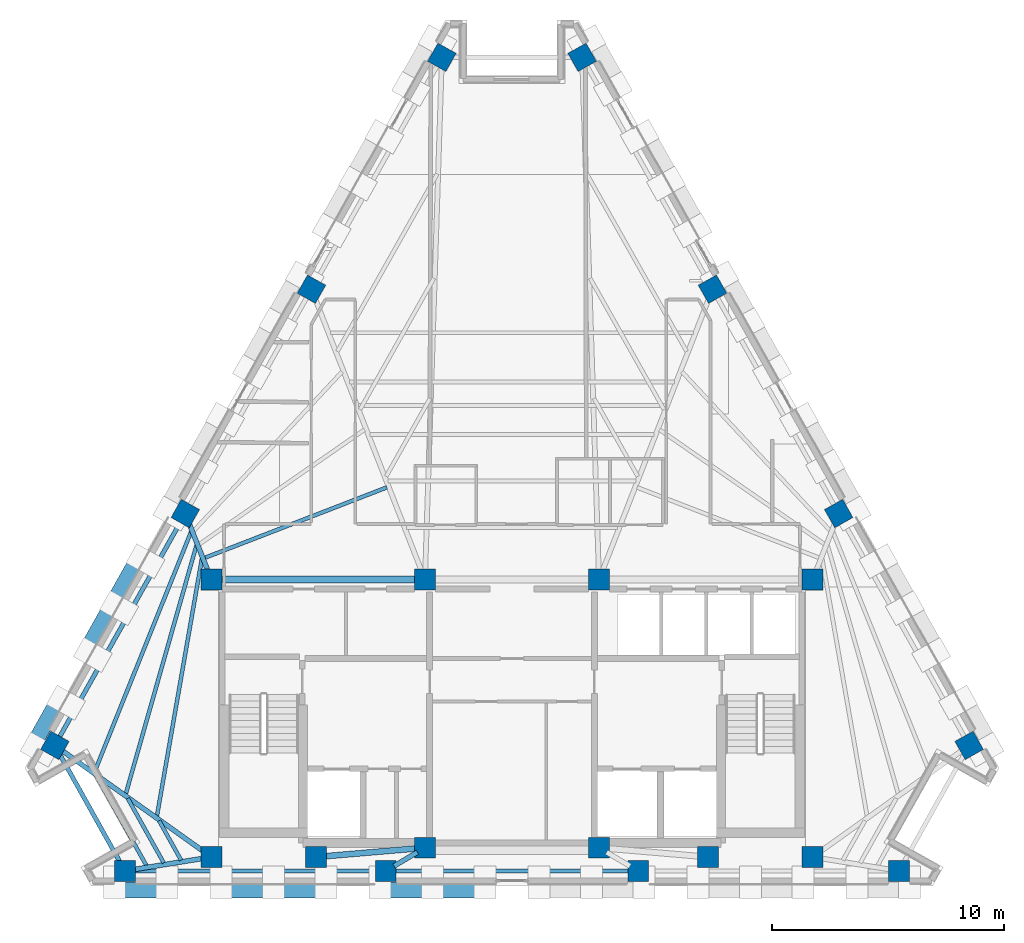
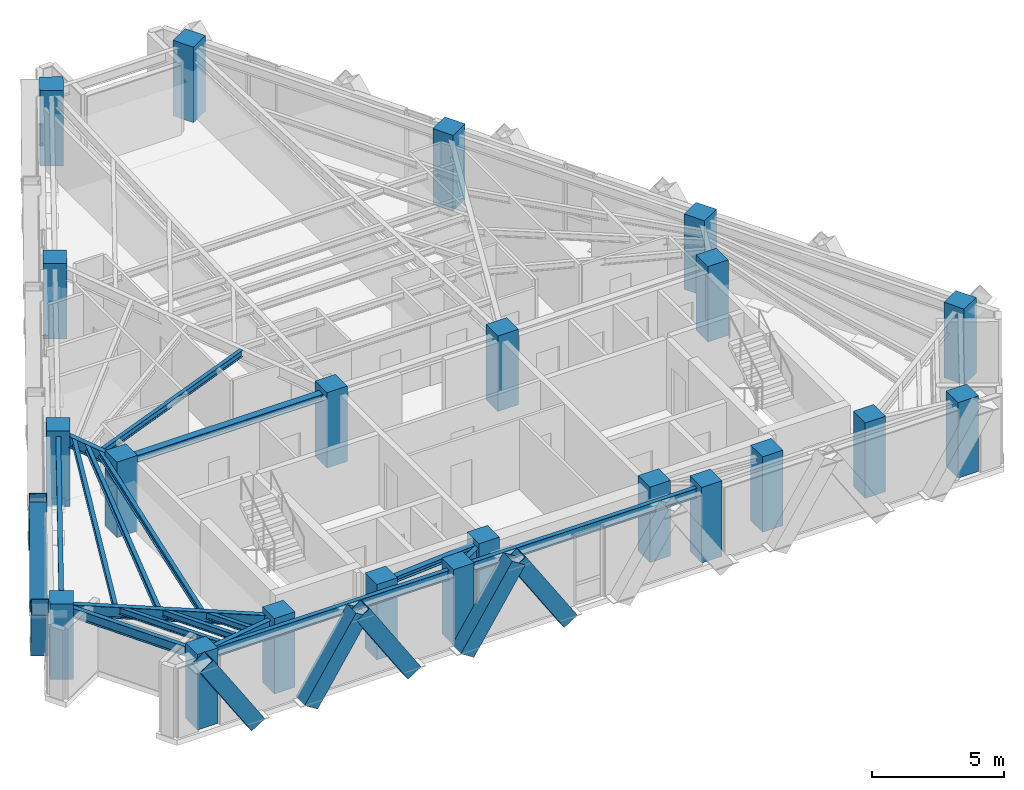
# One storey, part 1 of 12: 22 columns, 17 beams, 8 members.
"""IFC4 building model written with IfcOpenShell, lengths in metres."""

from ifc_helpers import new_model, si_unit, direction, frame, origin, origin_2d, place, context, subcontext, project, spatial, rectangle, hollow_rectangle, i_section, extrude, material, material_profile, profile_set, type_object, element, save


model = new_model("IFC4")

# Units and contexts
model_context = context("Model", 3, precision=1e-05, world=origin(), true_north=direction((0.0, 1.0)))
body_context = subcontext(model_context, "Body", "Model", "MODEL_VIEW")
ifc_project = project(units=[si_unit("LENGTHUNIT", "METRE"), si_unit("AREAUNIT", "SQUARE_METRE"), si_unit("VOLUMEUNIT", "CUBIC_METRE"), si_unit("PLANEANGLEUNIT", "RADIAN"), si_unit("MASSUNIT", "GRAM", prefix="KILO")], contexts=[model_context])

# Site, building, storey
site_placement = place(None, origin())
site = spatial("IfcSite", under=ifc_project, at=site_placement, CompositionType="ELEMENT")
building_placement = place(site_placement, origin())
building = spatial("IfcBuilding", under=site, at=building_placement, Name="Quenlor Broadcast Tower", CompositionType="ELEMENT")
storey_placement = place(building_placement, frame((0.0, 0.0, 197.39990234375)))
storey = spatial("IfcBuildingStorey", under=building, at=storey_placement, Name="L54", CompositionType="ELEMENT", Elevation=197.39990234375)

# Columns
ifc_material_1 = material(Name="Concrete C50/60", Category="concrete")
ifc_material_profile_1 = material_profile(ifc_material_1, rectangle(XDim=0.89990234375, YDim=0.89990234375, at=origin_2d()))
ifc_profile_set_1 = profile_set([ifc_material_profile_1], Name="Concrete C50/60 RC900x900")
column_type_1 = type_object("IfcColumnType", Name="Core Corner Column Upper Concrete C50/60 900", PredefinedType="COLUMN", material=ifc_profile_set_1)
for number, where, z_axis, x_axis, name in (
    (1, (-12.949951171875, -16.75, 0.0), (0.0, 0.0, 1.0), (1.0, 0.0, 0.0), "L54 Core Column CC1"),
    (2, (-8.449951171875, -16.75, 0.0), (0.0, 0.0, 1.0), (1.0, 0.0, 0.0), "L54 Core Column CC2"),
    (3, (-3.75, -16.35009765625, 0.0), (0.0, 0.0, 1.0), (1.0, 0.0, 0.0), "L54 Core Column CC3"),
    (4, (3.75, -16.35009765625, 0.0), (0.0, 0.0, 1.0), (1.0, 0.0, 0.0), "L54 Core Column CC4"),
    (5, (8.449951171875, -16.75, 0.0), (0.0, 0.0, 1.0), (1.0, 0.0, 0.0), "L54 Core Column CC5"),
    (6, (12.949951171875, -16.75, 0.0), (0.0, 0.0, 1.0), (1.0, 0.0, 0.0), "L54 Core Column CC6"),
    (7, (-12.949951171875, -4.800048828125, 0.0), (0.0, 0.0, 1.0), (1.0, 0.0, 0.0), "L54 Core Column CC7"),
    (8, (-3.75, -4.800048828125, 0.0), (0.0, 0.0, 1.0), (1.0, 0.0, 0.0), "L54 Core Column CC8"),
    (9, (3.75, -4.800048828125, 0.0), (0.0, 0.0, 1.0), (1.0, 0.0, 0.0), "L54 Core Column CC9"),
    (10, (12.949951171875, -4.800048828125, 0.0), (0.0, 0.0, 1.0), (1.0, 0.0, 0.0), "L54 Core Column CC10"),
):
    element("IfcColumn", number, at=place(storey_placement, frame(where, z_axis=z_axis, x_axis=x_axis)), inside=storey, type_object=column_type_1, Name=name, PredefinedType="COLUMN", context=body_context, shape_type="SweptSolid", body=[
        extrude(rectangle(XDim=0.89990234375, YDim=0.89990234375, at=origin_2d()), origin(), (0.0, 0.0, 1.0), 3.5),
    ])
ifc_material_2 = material(Name="Concrete C50/60", Category="concrete")
ifc_material_profile_2 = material_profile(ifc_material_2, rectangle(XDim=0.89990234375, YDim=0.89990234375, at=origin_2d()))
ifc_profile_set_2 = profile_set([ifc_material_profile_2], Name="Concrete C50/60 RC900x900")
column_type_2 = type_object("IfcColumnType", Name="Tower Perimeter Column Z4 Concrete C50/60 900", PredefinedType="COLUMN", material=ifc_profile_set_2)
for number, where, z_axis, x_axis, name in (
    (11, (-16.67578125, -17.35009765625, 0.0), (0.0, 0.0, 1.0), (0.0, 1.0, 0.0), "L54 Perimeter Column S1"),
    (12, (-5.437744140625, -17.35009765625, 0.0), (0.0, 0.0, 1.0), (0.0, 1.0, 0.0), "L54 Perimeter Column S2"),
    (13, (5.437744140625, -17.35009765625, 0.0), (0.0, 0.0, 1.0), (0.0, 1.0, 0.0), "L54 Perimeter Column S3"),
    (14, (16.67578125, -17.35009765625, 0.0), (0.0, 0.0, 1.0), (0.0, 1.0, 0.0), "L54 Perimeter Column S4"),
    (15, (19.696533203125, -11.941650390625, 0.0), (0.0, 0.0, 1.0), (0.871575139605, 0.490261946333, 0.0), "L54 Perimeter Column NE1"),
    (16, (14.077392578125, -1.952392578125, 0.0), (0.0, 0.0, 1.0), (0.871575139605, 0.490261946333, 0.0), "L54 Perimeter Column NE2"),
    (17, (8.6396484375, 7.71484375, 0.0), (0.0, 0.0, 1.0), (0.871575139605, 0.490261946333, 0.0), "L54 Perimeter Column NE3"),
    (18, (3.0205078125, 17.704345703125, 0.0), (0.0, 0.0, 1.0), (0.871575139605, 0.490261946333, 0.0), "L54 Perimeter Column NE4"),
    (19, (-3.0205078125, 17.704345703125, 0.0), (0.0, 0.0, 1.0), (-0.871575139605, 0.490261946333, 0.0), "L54 Perimeter Column NW1"),
    (20, (-8.6396484375, 7.71484375, 0.0), (0.0, 0.0, 1.0), (-0.871575139605, 0.490261946333, 0.0), "L54 Perimeter Column NW2"),
    (21, (-14.077392578125, -1.952392578125, 0.0), (0.0, 0.0, 1.0), (-0.871575139605, 0.490261946333, 0.0), "L54 Perimeter Column NW3"),
    (22, (-19.696533203125, -11.941650390625, 0.0), (0.0, 0.0, 1.0), (-0.871575139605, 0.490261946333, 0.0), "L54 Perimeter Column NW4"),
):
    element("IfcColumn", number, at=place(storey_placement, frame(where, z_axis=z_axis, x_axis=x_axis)), inside=storey, type_object=column_type_2, Name=name, PredefinedType="COLUMN", context=body_context, shape_type="SweptSolid", body=[
        extrude(rectangle(XDim=0.89990234375, YDim=0.89990234375, at=origin_2d()), origin(), (0.0, 0.0, 1.0), 3.5),
    ])

# Beams
ifc_material_3 = material(Name="Steel S355", Category="steel")
ifc_material_profile_3 = material_profile(ifc_material_3, i_section(OverallWidth=0.25390625, OverallDepth=0.25390625, WebThickness=0.008544921875, FlangeThickness=0.01416015625, FilletRadius=0.013916015625, at=origin_2d()))
ifc_profile_set_3 = profile_set([ifc_material_profile_3], Name="Steel S355 250UC72.9")
beam_type_1 = type_object("IfcBeamType", Name="Core Opening Lintel Beam Steel S355 250UC72.9", PredefinedType="LINTEL", material=ifc_profile_set_3)
beam_1_placement = place(storey_placement, frame((-8.09130859375, -16.719482421875, 3.123291015625), z_axis=(0.996399763903, 0.084779186679, 0.0), x_axis=(-0.084779186679, 0.996399763903, 0.0)))
element("IfcBeam", 23, at=beam_1_placement, inside=storey, type_object=beam_type_1, Name="L54 Core Opening Lintel Beam 4", PredefinedType="LINTEL", context=body_context, shape_type="SweptSolid", body=[
    extrude(i_section(OverallWidth=0.25390625, OverallDepth=0.25390625, WebThickness=0.008544921875, FlangeThickness=0.01416015625, FilletRadius=0.013916015625, at=origin_2d()), origin(), (0.0, 0.0, 1.0), 3.9970703125),
])
ifc_material_4 = material(Name="Steel S355", Category="steel")
ifc_material_profile_4 = material_profile(ifc_material_4, i_section(OverallWidth=0.306884765625, OverallDepth=0.314697265625, WebThickness=0.011962890625, FlangeThickness=0.018798828125, FilletRadius=0.0166015625, at=origin_2d()))
ifc_profile_set_4 = profile_set([ifc_material_profile_4], Name="Steel S355 310UC118")
beam_type_2 = type_object("IfcBeamType", Name="Core Tie Beam Steel S355 310UC118", PredefinedType="BEAM", material=ifc_profile_set_4)
beam_2_placement = place(storey_placement, frame((-12.590087890625, -4.800048828125, 3.0927734375), z_axis=(1.0, 0.0, 0.0), x_axis=(0.0, 1.0, 0.0)))
element("IfcBeam", 24, at=beam_2_placement, inside=storey, type_object=beam_type_2, Name="L54 Core Tie Beam 1", PredefinedType="BEAM", context=body_context, shape_type="SweptSolid", body=[
    extrude(i_section(OverallWidth=0.306884765625, OverallDepth=0.314697265625, WebThickness=0.011962890625, FlangeThickness=0.018798828125, FilletRadius=0.0166015625, at=origin_2d()), origin(), (0.0, 0.0, 1.0), 8.47998046875),
])

# Members
ifc_material_5 = material(Name="Steel S355", Category="steel")
ifc_material_profile_5 = material_profile(ifc_material_5, hollow_rectangle(XDim=0.679931640625, YDim=0.679931640625, WallThickness=0.02490234375, at=origin_2d()))
ifc_profile_set_5 = profile_set([ifc_material_profile_5], Name="Steel S355 RHS680x680x25")
member_type = type_object("IfcMemberType", Name="Perimeter Diagonal Lattice Brace Z3-Z4 Steel S355 RHS680x25", PredefinedType="BRACE", material=ifc_profile_set_5)
for number, where, z_axis, x_axis, name in (
    (25, (-1.155517578125, -18.169921875, -0.119873046875), (-0.541794306908, 0.0, 0.840511111766), (0.0, -1.0, 0.0), "L54 Perimeter Diamond Lattice S-C3S"),
    (26, (-8.005859375, -18.169921875, -0.119873046875), (-0.541794306908, 0.0, 0.840511111766), (0.0, -1.0, 0.0), "L54 Perimeter Diamond Lattice S-C4S"),
    (27, (-5.695068359375, -18.169921875, -0.119873046875), (0.541794306908, 0.0, 0.840511111766), (0.0, 1.0, 0.0), "L54 Perimeter Diamond Lattice S-C4B"),
    (28, (-14.856201171875, -18.169921875, -0.119873046875), (-0.541794306908, 0.0, 0.840511111766), (0.0, -1.0, 0.0), "L54 Perimeter Diamond Lattice S-C5S"),
    (29, (-12.54541015625, -18.169921875, -0.119873046875), (0.541794306908, 0.0, 0.840511111766), (0.0, 1.0, 0.0), "L54 Perimeter Diamond Lattice S-C5B"),
):
    element("IfcMember", number, at=place(storey_placement, frame(where, z_axis=z_axis, x_axis=x_axis)), inside=storey, type_object=member_type, Name=name, PredefinedType="BRACE", context=body_context, shape_type="SweptSolid", body=[
        extrude(hollow_rectangle(XDim=0.679931640625, YDim=0.679931640625, WallThickness=0.02490234375, at=origin_2d()), origin(), (0.0, 0.0, 1.0), 4.1640625),
    ])
member_placement = place(storey_placement, frame((-18.35302734375, -7.880859375, -0.119873046875), z_axis=(0.269539530269, 0.479181387144, 0.835304519224), x_axis=(-0.871575537125, 0.490261239633, 0.0)))
element("IfcMember", 30, at=member_placement, inside=storey, type_object=member_type, Name="L54 Perimeter Diamond Lattice NW-C1S", PredefinedType="BRACE", context=body_context, shape_type="SweptSolid", body=[
    extrude(hollow_rectangle(XDim=0.679931640625, YDim=0.679931640625, WallThickness=0.02490234375, at=origin_2d()), origin(), (0.0, 0.0, 1.0), 4.190185546875),
])
for number, where, z_axis, x_axis, name in (
    (31, (-19.509765625, -9.937255859375, -0.119873046875), (-0.269547055694, -0.479136497832, 0.835327840559), (0.871550060774, -0.49030652817, 0.0), "L54 Perimeter Diamond Lattice NW-C1B"),
    (32, (-16.08056640625, -3.841064453125, -0.119873046875), (-0.269547055694, -0.479136497832, 0.835327840559), (0.871550060774, -0.49030652817, 0.0), "L54 Perimeter Diamond Lattice NW-C2B"),
):
    element("IfcMember", number, at=place(storey_placement, frame(where, z_axis=z_axis, x_axis=x_axis)), inside=storey, type_object=member_type, Name=name, PredefinedType="BRACE", context=body_context, shape_type="SweptSolid", body=[
        extrude(hollow_rectangle(XDim=0.679931640625, YDim=0.679931640625, WallThickness=0.02490234375, at=origin_2d()), origin(), (0.0, 0.0, 1.0), 4.18994140625),
    ])

# Beams
ifc_material_6 = material(Name="Steel S355", Category="steel")
ifc_material_profile_6 = material_profile(ifc_material_6, i_section(OverallWidth=0.18994140625, OverallDepth=0.453857421875, WebThickness=0.008544921875, FlangeThickness=0.0126953125, FilletRadius=0.011474609375, at=origin_2d()))
ifc_profile_set_6 = profile_set([ifc_material_profile_6], Name="Steel S355 460UB67.1")
beam_type_3 = type_object("IfcBeamType", Name="Perimeter Spandrel Beam Z4 Steel S355 460UB67.1", PredefinedType="SPANDREL", material=ifc_profile_set_6)
beam_3_placement = place(storey_placement, frame((-16.265869140625, -17.35009765625, 3.023193359375), z_axis=(1.0, 0.0, 0.0), x_axis=(0.0, 1.0, 0.0)))
element("IfcBeam", 33, at=beam_3_placement, inside=storey, type_object=beam_type_3, Name="L54 Spandrel Beam S1-S2", PredefinedType="SPANDREL", context=body_context, shape_type="SweptSolid", body=[
    extrude(i_section(OverallWidth=0.18994140625, OverallDepth=0.453857421875, WebThickness=0.008544921875, FlangeThickness=0.0126953125, FilletRadius=0.011474609375, at=origin_2d()), origin(), (0.0, 0.0, 1.0), 10.41796875),
])
beam_4_placement = place(storey_placement, frame((-5.02783203125, -17.35009765625, 3.023193359375), z_axis=(1.0, 0.0, 0.0), x_axis=(0.0, 1.0, 0.0)))
element("IfcBeam", 34, at=beam_4_placement, inside=storey, type_object=beam_type_3, Name="L54 Spandrel Beam S2-S3", PredefinedType="SPANDREL", context=body_context, shape_type="SweptSolid", body=[
    extrude(i_section(OverallWidth=0.18994140625, OverallDepth=0.453857421875, WebThickness=0.008544921875, FlangeThickness=0.0126953125, FilletRadius=0.011474609375, at=origin_2d()), origin(), (0.0, 0.0, 1.0), 10.0556640625),
])
beam_5_placement = place(storey_placement, frame((-14.2783203125, -2.3095703125, 3.023193359375), z_axis=(-0.490272131974, -0.871569410093, 0.0), x_axis=(0.871569410093, -0.490272131974, 0.0)))
element("IfcBeam", 35, at=beam_5_placement, inside=storey, type_object=beam_type_3, Name="L54 Spandrel Beam NW3-NW4", PredefinedType="SPANDREL", context=body_context, shape_type="SweptSolid", body=[
    extrude(i_section(OverallWidth=0.18994140625, OverallDepth=0.453857421875, WebThickness=0.008544921875, FlangeThickness=0.0126953125, FilletRadius=0.011474609375, at=origin_2d()), origin(), (0.0, 0.0, 1.0), 10.6416015625),
])
beam_6_placement = place(storey_placement, frame((-19.49658203125, -12.2998046875, 3.023193359375), z_axis=(0.487647250206, -0.8730407547, 0.0), x_axis=(0.8730407547, 0.487647250206, 0.0)))
element("IfcBeam", 36, at=beam_6_placement, inside=storey, type_object=beam_type_3, Name="L54 Spandrel Beam NW4-S1", PredefinedType="SPANDREL", context=body_context, shape_type="SweptSolid", body=[
    extrude(i_section(OverallWidth=0.18994140625, OverallDepth=0.453857421875, WebThickness=0.008544921875, FlangeThickness=0.0126953125, FilletRadius=0.011474609375, at=origin_2d()), origin(), (0.0, 0.0, 1.0), 5.37451171875),
])
ifc_material_7 = material(Name="Steel S355", Category="steel")
ifc_material_profile_7 = material_profile(ifc_material_7, i_section(OverallWidth=0.166015625, OverallDepth=0.30712890625, WebThickness=0.006591796875, FlangeThickness=0.01171875, FilletRadius=0.011474609375, at=origin_2d()))
ifc_profile_set_7 = profile_set([ifc_material_profile_7], Name="Steel S355 310UB46.2")
beam_type_4 = type_object("IfcBeamType", Name="Tower Composite Joist Z4-Z5 Steel S355 310UB46.2", PredefinedType="JOIST", material=ifc_profile_set_7)
beam_7_placement = place(storey_placement, frame((-13.236083984375, -3.85986328125, 3.096435546875), z_axis=(0.932639299023, 0.360810113381, 0.0), x_axis=(-0.360810113381, 0.932639299023, 0.0)))
element("IfcBeam", 37, at=beam_7_placement, inside=storey, type_object=beam_type_4, Name="L54 Secondary Composite Joist 7", PredefinedType="JOIST", context=body_context, shape_type="SweptSolid", body=[
    extrude(i_section(OverallWidth=0.166015625, OverallDepth=0.30712890625, WebThickness=0.006591796875, FlangeThickness=0.01171875, FilletRadius=0.011474609375, at=origin_2d()), origin(), (0.0, 0.0, 1.0), 8.413330078125),
])
beam_8_placement = place(storey_placement, frame((-15.297607421875, -14.98828125, 3.096435546875), z_axis=(0.172003691938, 0.985096304916, 0.0), x_axis=(-0.985096304916, 0.172003691938, 0.0)))
element("IfcBeam", 38, at=beam_8_placement, inside=storey, type_object=beam_type_4, Name="L54 Secondary Composite Joist 13", PredefinedType="JOIST", context=body_context, shape_type="SweptSolid", body=[
    extrude(i_section(OverallWidth=0.166015625, OverallDepth=0.30712890625, WebThickness=0.006591796875, FlangeThickness=0.01171875, FilletRadius=0.011474609375, at=origin_2d()), origin(), (0.0, 0.0, 1.0), 11.274169921875),
])
beam_9_placement = place(storey_placement, frame((-16.638671875, -14.028564453125, 3.096435546875), z_axis=(0.273447576454, 0.961886907558, 0.0), x_axis=(-0.961886907558, 0.273447576454, 0.0)))
element("IfcBeam", 39, at=beam_9_placement, inside=storey, type_object=beam_type_4, Name="L54 Secondary Composite Joist 14", PredefinedType="JOIST", context=body_context, shape_type="SweptSolid", body=[
    extrude(i_section(OverallWidth=0.166015625, OverallDepth=0.30712890625, WebThickness=0.006591796875, FlangeThickness=0.01171875, FilletRadius=0.011474609375, at=origin_2d()), origin(), (0.0, 0.0, 1.0), 11.142333984375),
])
beam_10_placement = place(storey_placement, frame((-17.97998046875, -13.069580078125, 3.096435546875), z_axis=(0.373094895103, 0.927793187757, 0.0), x_axis=(-0.927793187757, 0.373094895103, 0.0)))
element("IfcBeam", 40, at=beam_10_placement, inside=storey, type_object=beam_type_4, Name="L54 Secondary Composite Joist 15", PredefinedType="JOIST", context=body_context, shape_type="SweptSolid", body=[
    extrude(i_section(OverallWidth=0.166015625, OverallDepth=0.30712890625, WebThickness=0.006591796875, FlangeThickness=0.01171875, FilletRadius=0.011474609375, at=origin_2d()), origin(), (0.0, 0.0, 1.0), 11.13525390625),
])
beam_11_placement = place(storey_placement, frame((-14.255859375, -16.88427734375, 3.096435546875), z_axis=(-0.487590799665, 0.873072283423, 0.0), x_axis=(-0.873072283423, -0.487590799665, 0.0)))
element("IfcBeam", 41, at=beam_11_placement, inside=storey, type_object=beam_type_4, Name="L54 Secondary Composite Joist 19", PredefinedType="JOIST", context=body_context, shape_type="SweptSolid", body=[
    extrude(i_section(OverallWidth=0.166015625, OverallDepth=0.30712890625, WebThickness=0.006591796875, FlangeThickness=0.01171875, FilletRadius=0.011474609375, at=origin_2d()), origin(), (0.0, 0.0, 1.0), 1.9462890625),
])
beam_12_placement = place(storey_placement, frame((-15.0009765625, -17.004150390625, 3.096435546875), z_axis=(-0.487646119388, 0.87304138633, 0.0), x_axis=(-0.87304138633, -0.487646119388, 0.0)))
element("IfcBeam", 42, at=beam_12_placement, inside=storey, type_object=beam_type_4, Name="L54 Secondary Composite Joist 20", PredefinedType="JOIST", context=body_context, shape_type="SweptSolid", body=[
    extrude(i_section(OverallWidth=0.166015625, OverallDepth=0.30712890625, WebThickness=0.006591796875, FlangeThickness=0.01171875, FilletRadius=0.011474609375, at=origin_2d()), origin(), (0.0, 0.0, 1.0), 3.18505859375),
])
beam_13_placement = place(storey_placement, frame((-15.74609375, -17.124267578125, 3.096435546875), z_axis=(-0.487604899573, 0.873064408799, 0.0), x_axis=(-0.873064408799, -0.487604899573, 0.0)))
element("IfcBeam", 43, at=beam_13_placement, inside=storey, type_object=beam_type_4, Name="L54 Secondary Composite Joist 21", PredefinedType="JOIST", context=body_context, shape_type="SweptSolid", body=[
    extrude(i_section(OverallWidth=0.166015625, OverallDepth=0.30712890625, WebThickness=0.006591796875, FlangeThickness=0.01171875, FilletRadius=0.011474609375, at=origin_2d()), origin(), (0.0, 0.0, 1.0), 4.424072265625),
])
ifc_material_8 = material(Name="Steel S355", Category="steel")
ifc_material_profile_8 = material_profile(ifc_material_8, i_section(OverallWidth=0.208984375, OverallDepth=0.5283203125, WebThickness=0.009521484375, FlangeThickness=0.01318359375, FilletRadius=0.013916015625, at=origin_2d()))
ifc_profile_set_8 = profile_set([ifc_material_profile_8], Name="Steel S355 530UB82.0")
beam_type_5 = type_object("IfcBeamType", Name="Tower Primary Floor Beam Z4 Steel S355 530UB82.0", PredefinedType="BEAM", material=ifc_profile_set_8)
beam_14_placement = place(storey_placement, frame((-16.27099609375, -17.284912109375, 2.986083984375), z_axis=(0.987268490875, 0.159062650942, 0.0), x_axis=(-0.159062650942, 0.987268490875, 0.0)))
element("IfcBeam", 44, at=beam_14_placement, inside=storey, type_object=beam_type_5, Name="L54 Primary Radial Beam S1", PredefinedType="BEAM", context=body_context, shape_type="SweptSolid", body=[
    extrude(i_section(OverallWidth=0.208984375, OverallDepth=0.5283203125, WebThickness=0.009521484375, FlangeThickness=0.01318359375, FilletRadius=0.013916015625, at=origin_2d()), origin(), (0.0, 0.0, 1.0), 2.98388671875),
])
beam_15_placement = place(storey_placement, frame((-5.085205078125, -17.14111328125, 2.986083984375), z_axis=(0.86032875258, 0.509739578102, 0.0), x_axis=(-0.509739578102, 0.86032875258, 0.0)))
element("IfcBeam", 45, at=beam_15_placement, inside=storey, type_object=beam_type_5, Name="L54 Primary Radial Beam S2", PredefinedType="BEAM", context=body_context, shape_type="SweptSolid", body=[
    extrude(i_section(OverallWidth=0.208984375, OverallDepth=0.5283203125, WebThickness=0.009521484375, FlangeThickness=0.01318359375, FilletRadius=0.013916015625, at=origin_2d()), origin(), (0.0, 0.0, 1.0), 1.171875),
])
beam_16_placement = place(storey_placement, frame((-13.926513671875, -2.33349609375, 2.986083984375), z_axis=(0.368110359783, -0.92978210513, 0.0), x_axis=(0.92978210513, 0.368110359783, 0.0)))
element("IfcBeam", 46, at=beam_16_placement, inside=storey, type_object=beam_type_5, Name="L54 Primary Radial Beam NW3", PredefinedType="BEAM", context=body_context, shape_type="SweptSolid", body=[
    extrude(i_section(OverallWidth=0.208984375, OverallDepth=0.5283203125, WebThickness=0.009521484375, FlangeThickness=0.01318359375, FilletRadius=0.013916015625, at=origin_2d()), origin(), (0.0, 0.0, 1.0), 2.27294921875),
])
beam_17_placement = place(storey_placement, frame((-19.362548828125, -12.1796875, 2.986083984375), z_axis=(0.814329531787, -0.580402802938, 0.0), x_axis=(0.580402802938, 0.814329531787, 0.0)))
element("IfcBeam", 47, at=beam_17_placement, inside=storey, type_object=beam_type_5, Name="L54 Primary Radial Beam NW4", PredefinedType="BEAM", context=body_context, shape_type="SweptSolid", body=[
    extrude(i_section(OverallWidth=0.208984375, OverallDepth=0.5283203125, WebThickness=0.009521484375, FlangeThickness=0.01318359375, FilletRadius=0.013916015625, at=origin_2d()), origin(), (0.0, 0.0, 1.0), 7.49462890625),
])

save(model, "model.ifc")
